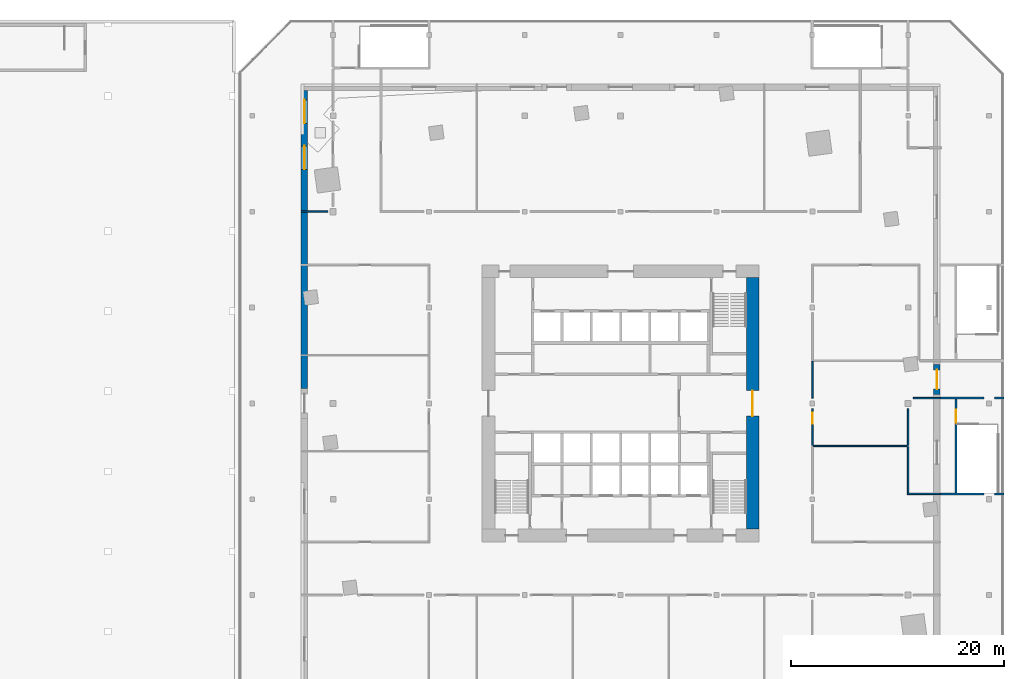
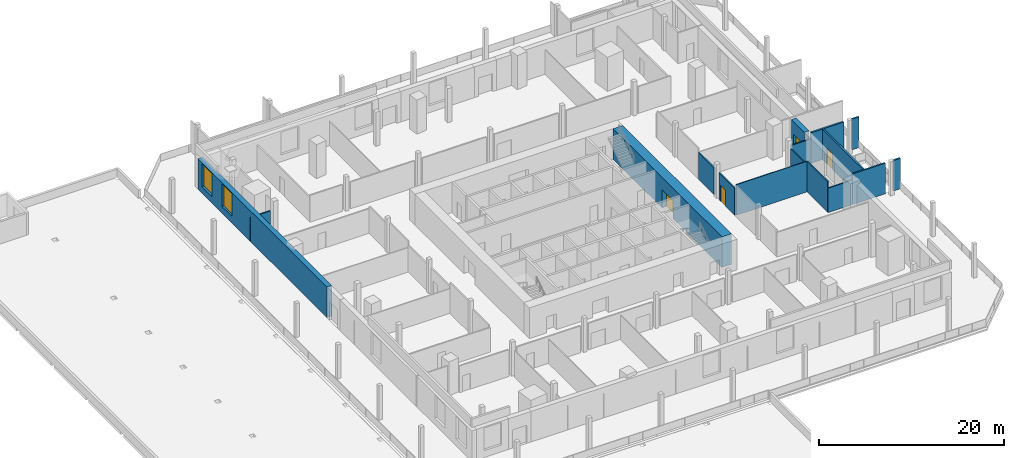
# One storey, part 5 of 12: 16 walls, 4 doors, 2 windows, 6 openings.
"""IFC4 building model written with IfcOpenShell, lengths in metres."""

from ifc_helpers import new_model, si_unit, direction, frame, frame_2d, origin, place, context, subcontext, project, spatial, rectangle, extrude, material, layer, layer_set, type_object, element, fill, save


model = new_model("IFC4")

# Units and contexts
model_context = context("Model", 3, precision=1e-05, world=origin(), true_north=direction((0.0, 1.0)))
body_context = subcontext(model_context, "Body", "Model", "MODEL_VIEW")
ifc_project = project(units=[si_unit("LENGTHUNIT", "METRE"), si_unit("AREAUNIT", "SQUARE_METRE"), si_unit("VOLUMEUNIT", "CUBIC_METRE"), si_unit("PLANEANGLEUNIT", "RADIAN"), si_unit("MASSUNIT", "GRAM", prefix="KILO")], contexts=[model_context])

# Site, building, storey
site_placement = place(None, origin())
site = spatial("IfcSite", under=ifc_project, at=site_placement, CompositionType="ELEMENT")
building_placement = place(site_placement, origin())
building = spatial("IfcBuilding", under=site, at=building_placement, Name="Dilmun Exchange Tower", CompositionType="ELEMENT")
storey_placement = place(building_placement, frame((0.0, 0.0, 18.0)))
storey = spatial("IfcBuildingStorey", under=building, at=storey_placement, Name="L04", CompositionType="ELEMENT", Elevation=18.0)

# Wall, opening, door
ifc_material_1 = material(Name="Concrete C80/95", Category="concrete")
ifc_layer_1 = layer(ifc_material_1, 1.199951171875)
ifc_layer_set_1 = layer_set([ifc_layer_1], Name="Concrete C80/95")
wall_type_1 = type_object("IfcWallType", Name="Core shear wall 1200 Concrete C80/95", PredefinedType="SHEAR", material=ifc_layer_set_1)
wall_1_placement = place(storey_placement, frame((12.39990234375, -11.800048828125, 0.0), z_axis=(0.0, 0.0, 1.0), x_axis=(0.0, 1.0, 0.0)))
wall_1 = element("IfcWall", 1, at=wall_1_placement, inside=storey, type_object=wall_type_1, Name="L04 core shear wall E", PredefinedType="SHEAR", context=body_context, shape_type="SweptSolid", body=[
    extrude(rectangle(XDim=23.60009765625, YDim=1.199951171875, at=frame_2d((11.800048828125, 0.0))), origin(), (0.0, 0.0, 1.0), 4.050048828125),
])
opening_1_placement = place(wall_1_placement, frame((10.60009765625, 0.0, 0.0)))
opening_1 = element("IfcOpeningElement", 2, at=opening_1_placement, cuts=wall_1, Name="Opening CD1", PredefinedType="OPENING", context=body_context, shape_type="SweptSolid", body=[
    extrude(rectangle(XDim=2.39990234375, YDim=2.39990234375, at=frame_2d((1.199951171875, 1.199951171875))), frame((0.0, 0.60986328125, 0.0), z_axis=(0.0, -1.0, 0.0), x_axis=(1.0, 0.0, 0.0)), (0.0, 0.0, 1.0), 1.219970703125),
])
ifc_material_2 = material(Name="Fire-rated steel door set", Category="steel")
door_type_1 = type_object("IfcDoorType", Name="Core lobby door 2400x2400", OperationType="DOUBLE_DOOR_DOUBLE_SWING", PredefinedType="DOOR", material=ifc_material_2)
door_1_placement = place(opening_1_placement, origin())
door_1 = element("IfcDoor", 3, at=door_1_placement, inside=storey, type_object=door_type_1, Name="L04 door Central lift lobby", OperationType="SINGLE_SWING_LEFT", OverallHeight=2.39990234375, OverallWidth=2.39990234375, PredefinedType="DOOR", context=body_context, shape_type="SweptSolid", body=[
    extrude(rectangle(XDim=2.39990234375, YDim=2.39990234375, at=frame_2d((1.199951171875, 1.199951171875))), frame((0.0, 0.02490234375, 0.0), z_axis=(0.0, -1.0, 0.0), x_axis=(1.0, 0.0, 0.0)), (0.0, 0.0, 1.0), 0.050048828125),
])
fill(opening_1, door_1)

# Walls
ifc_material_3 = material(Name="Fire partition EI 60 150 gypsum")
ifc_layer_2 = layer(ifc_material_3, 0.14990234375)
ifc_layer_set_2 = layer_set([ifc_layer_2], Name="Fire partition EI 60 150 gypsum")
wall_type_2 = type_object("IfcWallType", Name="Fire partition EI 60 150 gypsum", PredefinedType="PARTITIONING", material=ifc_layer_set_2)
wall_2_placement = place(storey_placement, frame((26.925048828125, -8.5, 0.0), z_axis=(0.0, 0.0, 1.0), x_axis=(1.0, 0.0, 0.0)))
element("IfcWall", 4, at=wall_2_placement, inside=storey, type_object=wall_type_2, Name="L04 partition", PredefinedType="PARTITIONING", context=body_context, shape_type="SweptSolid", body=[
    extrude(rectangle(XDim=3.074951171875, YDim=0.14990234375, at=frame_2d((1.53759765625, 0.0))), origin(), (0.0, 0.0, 1.0), 3.22998046875),
])
for number, where, z_axis, x_axis, name in (
    (5, (27.5, 0.5, 0.0), (0.0, 0.0, 1.0), (1.0, 0.0, 0.0), "L04 partition"),
    (6, (-30.0, 18.0, 0.0), (0.0, 0.0, 1.0), (1.0, 0.0, 0.0), "L04 partition"),
):
    element("IfcWall", number, at=place(storey_placement, frame(where, z_axis=z_axis, x_axis=x_axis)), inside=storey, type_object=wall_type_2, Name=name, PredefinedType="PARTITIONING", context=body_context, shape_type="SweptSolid", body=[
        extrude(rectangle(XDim=2.5, YDim=0.14990234375, at=frame_2d((1.25, 0.0))), origin(), (0.0, 0.0, 1.0), 3.22998046875),
    ])

# Wall, opening, door
wall_3_placement = place(storey_placement, frame((18.0, -3.949951171875, 0.0), z_axis=(0.0, 0.0, 1.0), x_axis=(0.0, 1.0, 0.0)))
wall_3 = element("IfcWall", 7, at=wall_3_placement, inside=storey, type_object=wall_type_2, Name="L04 partition", PredefinedType="PARTITIONING", context=body_context, shape_type="SweptSolid", body=[
    extrude(rectangle(XDim=3.449951171875, YDim=0.14990234375, at=frame_2d((1.72509765625, 0.0))), origin(), (0.0, 0.0, 1.0), 3.530029296875),
])
opening_2_placement = place(wall_3_placement, frame((2.050048828125, 0.0, 0.0)))
opening_2 = element("IfcOpeningElement", 8, at=opening_2_placement, cuts=wall_3, Name="Opening L04-D018", PredefinedType="OPENING", context=body_context, shape_type="SweptSolid", body=[
    extrude(rectangle(XDim=1.0, YDim=2.10009765625, at=frame_2d((0.5, 1.050048828125))), frame((0.0, 0.0849609375, 0.0), z_axis=(0.0, -1.0, 0.0), x_axis=(1.0, 0.0, 0.0)), (0.0, 0.0, 1.0), 0.169921875),
])
ifc_material_4 = material(Name="Fire door FD60 1000 x 2100")
door_type_2 = type_object("IfcDoorType", Name="Fire door FD60 1000 x 2100", OperationType="SINGLE_SWING_LEFT", PredefinedType="DOOR", material=ifc_material_4)
door_2_placement = place(opening_2_placement, origin())
door_2 = element("IfcDoor", 9, at=door_2_placement, inside=storey, type_object=door_type_2, Name="L04 door L04-D018", OperationType="SINGLE_SWING_RIGHT", OverallHeight=2.10009765625, OverallWidth=1.0, PredefinedType="DOOR", context=body_context, shape_type="SweptSolid", body=[
    extrude(rectangle(XDim=1.0, YDim=2.10009765625, at=frame_2d((0.5, 1.050048828125))), frame((0.0, 0.02490234375, 0.0), z_axis=(0.0, -1.0, 0.0), x_axis=(1.0, 0.0, 0.0)), (0.0, 0.0, 1.0), 0.050048828125),
])
fill(opening_2, door_2)

# Walls
wall_4_placement = place(storey_placement, frame((18.0, 0.5, 0.0), z_axis=(0.0, 0.0, 1.0), x_axis=(0.0, 1.0, 0.0)))
element("IfcWall", 10, at=wall_4_placement, inside=storey, type_object=wall_type_2, Name="L04 partition", PredefinedType="PARTITIONING", context=body_context, shape_type="SweptSolid", body=[
    extrude(rectangle(XDim=3.449951171875, YDim=0.14990234375, at=frame_2d((1.72509765625, 0.0))), origin(), (0.0, 0.0, 1.0), 3.530029296875),
])
wall_5_placement = place(storey_placement, frame((27.0, -8.425048828125, 0.0), z_axis=(0.0, 0.0, 1.0), x_axis=(0.0, 1.0, 0.0)))
element("IfcWall", 11, at=wall_5_placement, inside=storey, type_object=wall_type_2, Name="L04 partition", PredefinedType="PARTITIONING", context=body_context, shape_type="SweptSolid", body=[
    extrude(rectangle(XDim=4.375, YDim=0.14990234375, at=frame_2d((2.1875, 0.0))), origin(), (0.0, 0.0, 1.0), 4.050048828125),
])
wall_6_placement = place(storey_placement, frame((27.0, -3.949951171875, 0.0), z_axis=(0.0, 0.0, 1.0), x_axis=(0.0, 1.0, 0.0)))
element("IfcWall", 12, at=wall_6_placement, inside=storey, type_object=wall_type_2, Name="L04 partition", PredefinedType="PARTITIONING", context=body_context, shape_type="SweptSolid", body=[
    extrude(rectangle(XDim=3.449951171875, YDim=0.14990234375, at=frame_2d((1.72509765625, 0.0))), origin(), (0.0, 0.0, 1.0), 3.530029296875),
])
ifc_material_5 = material(Name="Fire wall EI 120 200 blockwork", Category="masonry")
ifc_layer_3 = layer(ifc_material_5, 0.199951171875)
ifc_layer_set_3 = layer_set([ifc_layer_3], Name="Fire wall EI 120 200 blockwork")
wall_type_3 = type_object("IfcWallType", Name="Fire wall EI 120 200 blockwork", PredefinedType="PARTITIONING", material=ifc_layer_set_3)
wall_7_placement = place(storey_placement, frame((30.0, -8.5, 0.0), z_axis=(0.0, 0.0, 1.0), x_axis=(1.0, 0.0, 0.0)))
element("IfcWall", 13, at=wall_7_placement, inside=storey, type_object=wall_type_3, Name="L04 stair wall", PredefinedType="PARTITIONING", context=body_context, shape_type="SweptSolid", body=[
    extrude(rectangle(XDim=4.10009765625, YDim=0.199951171875, at=frame_2d((2.050048828125, 0.0))), origin(), (0.0, 0.0, 1.0), 4.050048828125),
])
wall_8_placement = place(storey_placement, frame((35.10009765625, -8.5, 0.0), z_axis=(0.0, 0.0, 1.0), x_axis=(1.0, 0.0, 0.0)))
element("IfcWall", 14, at=wall_8_placement, inside=storey, type_object=wall_type_3, Name="L04 stair wall", PredefinedType="PARTITIONING", context=body_context, shape_type="SweptSolid", body=[
    extrude(rectangle(XDim=0.89990234375, YDim=0.199951171875, at=frame_2d((0.449951171875, 0.0))), origin(), (0.0, 0.0, 1.0), 4.050048828125),
])
wall_9_placement = place(storey_placement, frame((30.0, 0.5, 0.0), z_axis=(0.0, 0.0, 1.0), x_axis=(1.0, 0.0, 0.0)))
element("IfcWall", 15, at=wall_9_placement, inside=storey, type_object=wall_type_3, Name="L04 stair wall", PredefinedType="PARTITIONING", context=body_context, shape_type="SweptSolid", body=[
    extrude(rectangle(XDim=4.10009765625, YDim=0.199951171875, at=frame_2d((2.050048828125, 0.0))), origin(), (0.0, 0.0, 1.0), 4.050048828125),
])
wall_10_placement = place(storey_placement, frame((35.10009765625, 0.5, 0.0), z_axis=(0.0, 0.0, 1.0), x_axis=(1.0, 0.0, 0.0)))
element("IfcWall", 16, at=wall_10_placement, inside=storey, type_object=wall_type_3, Name="L04 stair wall", PredefinedType="PARTITIONING", context=body_context, shape_type="SweptSolid", body=[
    extrude(rectangle(XDim=0.89990234375, YDim=0.199951171875, at=frame_2d((0.449951171875, 0.0))), origin(), (0.0, 0.0, 1.0), 4.050048828125),
])

# Wall, opening, door
wall_11_placement = place(storey_placement, frame((31.5, -8.39990234375, 0.0), z_axis=(0.0, 0.0, 1.0), x_axis=(0.0, 1.0, 0.0)))
wall_11 = element("IfcWall", 17, at=wall_11_placement, inside=storey, type_object=wall_type_3, Name="L04 stair wall", PredefinedType="PARTITIONING", context=body_context, shape_type="SweptSolid", body=[
    extrude(rectangle(XDim=8.7998046875, YDim=0.199951171875, at=frame_2d((4.39990234375, 0.0))), origin(), (0.0, 0.0, 1.0), 4.050048828125),
])
opening_3_placement = place(wall_11_placement, frame((6.60009765625, 0.0, 0.0)))
opening_3 = element("IfcOpeningElement", 18, at=opening_3_placement, cuts=wall_11, Name="Opening L04-D003", PredefinedType="OPENING", context=body_context, shape_type="SweptSolid", body=[
    extrude(rectangle(XDim=1.199951171875, YDim=2.10009765625, at=frame_2d((0.60009765625, 1.050048828125))), frame((0.0, 0.10986328125, 0.0), z_axis=(0.0, -1.0, 0.0), x_axis=(1.0, 0.0, 0.0)), (0.0, 0.0, 1.0), 0.219970703125),
])
ifc_material_6 = material(Name="Stair door FD90 1200 x 2100")
door_type_3 = type_object("IfcDoorType", Name="Stair door FD90 1200 x 2100", OperationType="SINGLE_SWING_LEFT", PredefinedType="DOOR", material=ifc_material_6)
door_3_placement = place(opening_3_placement, frame((1.199951171875, 0.0, 0.0), z_axis=(0.0, 0.0, 1.0), x_axis=(-1.0, 0.0, 0.0)))
door_3 = element("IfcDoor", 19, at=door_3_placement, inside=storey, type_object=door_type_3, Name="L04 door L04-D003", OperationType="SINGLE_SWING_LEFT", OverallHeight=2.10009765625, OverallWidth=1.199951171875, PredefinedType="DOOR", context=body_context, shape_type="SweptSolid", body=[
    extrude(rectangle(XDim=1.199951171875, YDim=2.10009765625, at=frame_2d((0.60009765625, 1.050048828125))), frame((0.0, 0.02490234375, 0.0), z_axis=(0.0, -1.0, 0.0), x_axis=(1.0, 0.0, 0.0)), (0.0, 0.0, 1.0), 0.050048828125),
])
fill(opening_3, door_3)

# Wall
ifc_material_7 = material(Name="Partition 100 gypsum")
ifc_layer_4 = layer(ifc_material_7, 0.10009765625)
ifc_layer_set_4 = layer_set([ifc_layer_4], Name="Partition 100 gypsum")
wall_type_4 = type_object("IfcWallType", Name="Partition 100 gypsum", PredefinedType="PARTITIONING", material=ifc_layer_set_4)
wall_12_placement = place(storey_placement, frame((18.074951171875, -4.0, 0.0), z_axis=(0.0, 0.0, 1.0), x_axis=(1.0, 0.0, 0.0)))
element("IfcWall", 20, at=wall_12_placement, inside=storey, type_object=wall_type_4, Name="L04 partition", PredefinedType="PARTITIONING", context=body_context, shape_type="SweptSolid", body=[
    extrude(rectangle(XDim=8.85009765625, YDim=0.10009765625, at=frame_2d((4.425048828125, 0.0))), origin(), (0.0, 0.0, 1.0), 4.050048828125),
])

# Wall, opening, door
ifc_material_8 = material(Name="Precast concrete C50/60", Category="concrete")
ifc_layer_5 = layer(ifc_material_8, 0.60009765625)
ifc_layer_set_5 = layer_set([ifc_layer_5], Name="Precast concrete C50/60")
wall_type_5 = type_object("IfcWallType", Name="Precast stone-clad wall 600", PredefinedType="STANDARD", material=ifc_layer_set_5)
wall_13_placement = place(storey_placement, frame((29.699951171875, 3.64990234375, 0.0), z_axis=(0.0, 0.0, 1.0), x_axis=(0.0, -1.0, 0.0)))
wall_13 = element("IfcWall", 21, at=wall_13_placement, inside=storey, type_object=wall_type_5, Name="Facade wall L04-00-1", PredefinedType="STANDARD", context=body_context, shape_type="SweptSolid", body=[
    extrude(rectangle(XDim=2.7998046875, YDim=0.60009765625, at=frame_2d((1.39990234375, 0.0))), origin(), (0.0, 0.0, 1.0), 4.050048828125),
])
opening_4_placement = place(wall_13_placement, frame((0.5, 0.0, 0.0)))
opening_4 = element("IfcOpeningElement", 22, at=opening_4_placement, cuts=wall_13, Name="Opening TD1", PredefinedType="OPENING", context=body_context, shape_type="SweptSolid", body=[
    extrude(rectangle(XDim=1.800048828125, YDim=2.39990234375, at=frame_2d((0.89990234375, 1.199951171875))), frame((0.0, 0.31005859375, 0.0), z_axis=(0.0, -1.0, 0.0), x_axis=(1.0, 0.0, 0.0)), (0.0, 0.0, 1.0), 0.6201171875),
])
ifc_material_9 = material(Name="Clear low-emissivity glass in aluminium frame", Category="aluminium")
door_type_4 = type_object("IfcDoorType", Name="Glazed terrace door pair 1800 x 2400", OperationType="DOUBLE_DOOR_SINGLE_SWING", PredefinedType="DOOR", material=ifc_material_9)
door_4_placement = place(opening_4_placement, origin())
door_4 = element("IfcDoor", 23, at=door_4_placement, inside=storey, type_object=door_type_4, Name="Door X-T3 terrace", OperationType="DOUBLE_DOOR_SINGLE_SWING", OverallHeight=2.39990234375, OverallWidth=1.800048828125, PredefinedType="DOOR", context=body_context, shape_type="SweptSolid", body=[
    extrude(rectangle(XDim=1.800048828125, YDim=2.39990234375, at=frame_2d((0.89990234375, 1.199951171875))), frame((0.0, 0.02490234375, 0.0), z_axis=(0.0, -1.0, 0.0), x_axis=(1.0, 0.0, 0.0)), (0.0, 0.0, 1.0), 0.050048828125),
])
fill(opening_4, door_4)

# Wall, openings, windows
wall_14_placement = place(storey_placement, frame((-29.699951171875, 29.39990234375, 0.0), z_axis=(0.0, 0.0, 1.0), x_axis=(0.0, -1.0, 0.0)))
wall_14 = element("IfcWall", 24, at=wall_14_placement, inside=storey, type_object=wall_type_5, Name="Facade wall L04-02-0", PredefinedType="STANDARD", context=body_context, shape_type="SweptSolid", body=[
    extrude(rectangle(XDim=28.0, YDim=0.60009765625, at=frame_2d((14.0, 0.0))), origin(), (0.0, 0.0, 1.0), 4.050048828125),
])
opening_5_placement = place(wall_14_placement, frame((0.90771484375, 0.0, 0.89990234375)))
opening_5 = element("IfcOpeningElement", 25, at=opening_5_placement, cuts=wall_14, Name="Opening W220-300", PredefinedType="OPENING", context=body_context, shape_type="SweptSolid", body=[
    extrude(rectangle(XDim=2.199951171875, YDim=3.0, at=frame_2d((1.10009765625, 1.5))), frame((0.0, 0.31005859375, 0.0), z_axis=(0.0, -1.0, 0.0), x_axis=(1.0, 0.0, 0.0)), (0.0, 0.0, 1.0), 0.6201171875),
])
opening_6_placement = place(wall_14_placement, frame((5.22314453125, 0.0, 0.89990234375)))
opening_6 = element("IfcOpeningElement", 26, at=opening_6_placement, cuts=wall_14, Name="Opening W220-300", PredefinedType="OPENING", context=body_context, shape_type="SweptSolid", body=[
    extrude(rectangle(XDim=2.199951171875, YDim=3.0, at=frame_2d((1.10009765625, 1.5))), frame((0.0, 0.31005859375, 0.0), z_axis=(0.0, -1.0, 0.0), x_axis=(1.0, 0.0, 0.0)), (0.0, 0.0, 1.0), 0.6201171875),
])
window_type = type_object("IfcWindowType", Name="Punched window 2200 x 3000", PartitioningType="DOUBLE_PANEL_VERTICAL", PredefinedType="WINDOW", material=ifc_material_9)
window_1_placement = place(opening_5_placement, origin())
window_1 = element("IfcWindow", 27, at=window_1_placement, inside=storey, type_object=window_type, Name="Window 3.1", OverallHeight=3.0, OverallWidth=2.199951171875, PartitioningType="SINGLE_PANEL", PredefinedType="WINDOW", context=body_context, shape_type="SweptSolid", body=[
    extrude(rectangle(XDim=2.199951171875, YDim=3.0, at=frame_2d((1.10009765625, 1.5))), frame((0.0, 0.030029296875, 0.0), z_axis=(0.0, -1.0, 0.0), x_axis=(1.0, 0.0, 0.0)), (0.0, 0.0, 1.0), 0.06005859375),
])
fill(opening_5, window_1)
window_2_placement = place(opening_6_placement, origin())
window_2 = element("IfcWindow", 28, at=window_2_placement, inside=storey, type_object=window_type, Name="Window 3.2", OverallHeight=3.0, OverallWidth=2.199951171875, PartitioningType="SINGLE_PANEL", PredefinedType="WINDOW", context=body_context, shape_type="SweptSolid", body=[
    extrude(rectangle(XDim=2.199951171875, YDim=3.0, at=frame_2d((1.10009765625, 1.5))), frame((0.0, 0.030029296875, 0.0), z_axis=(0.0, -1.0, 0.0), x_axis=(1.0, 0.0, 0.0)), (0.0, 0.0, 1.0), 0.06005859375),
])
fill(opening_6, window_2)

save(model, "model.ifc")
